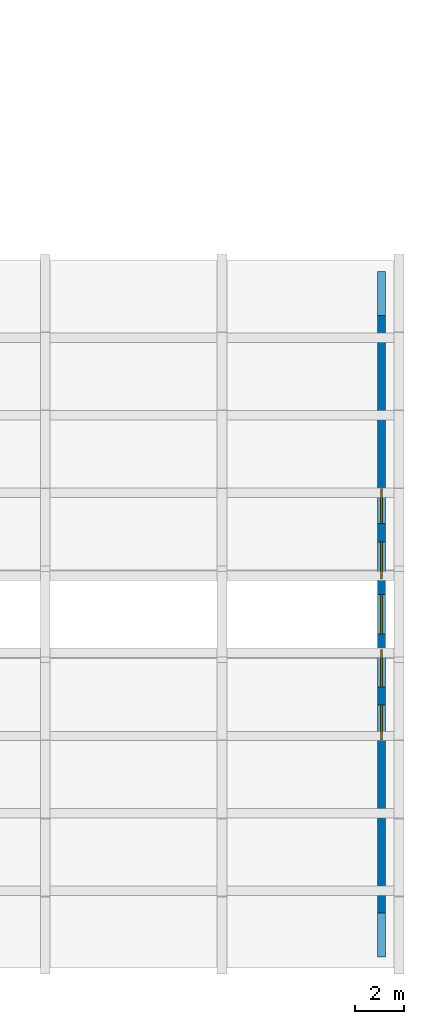
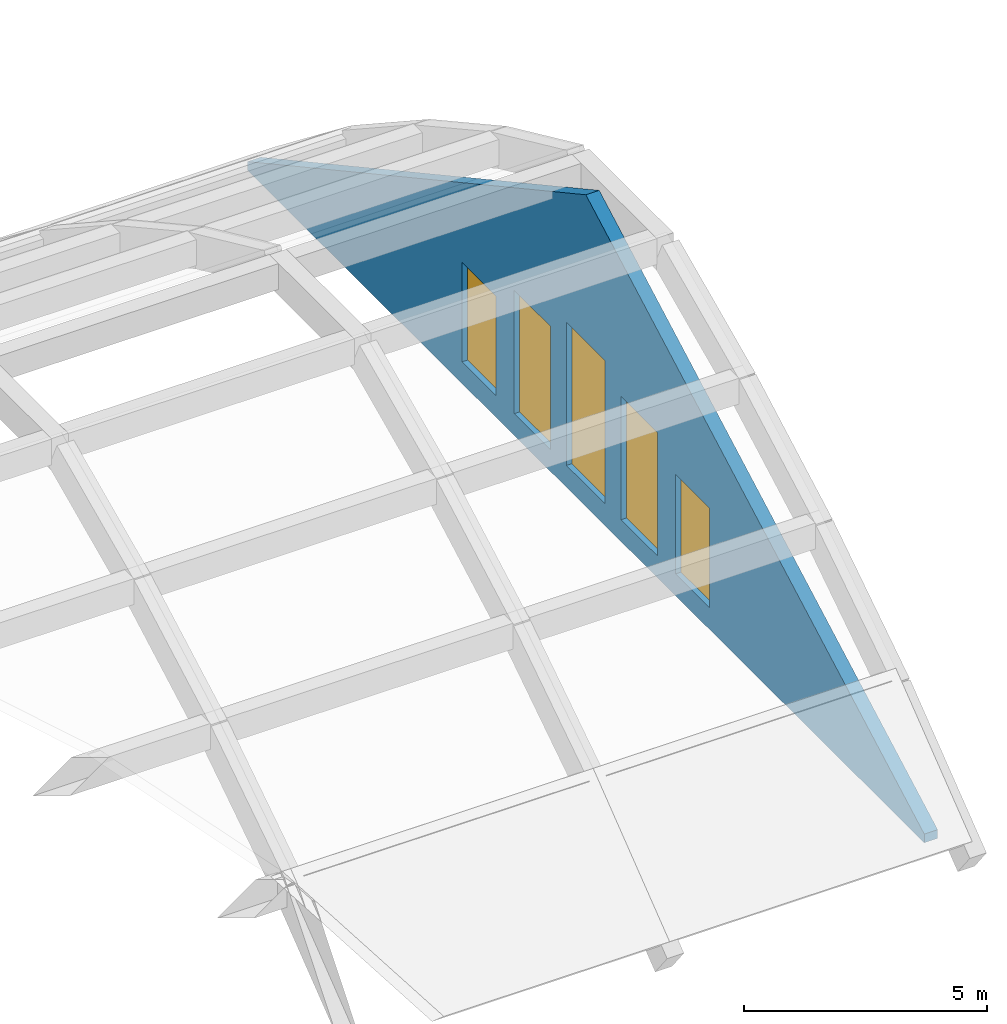
# One storey, part 48 of 85: 5 windows, 1 wall, 5 openings.
"""IFC4 building model written with IfcOpenShell, lengths in metres."""

from ifc_helpers import new_model, si_unit, direction, frame, frame_2d, origin, place, context, subcontext, project, spatial, polyline, rectangle, outline, extrude, material, layer, layer_set, type_object, element, fill, save


model = new_model("IFC4")

# Units and contexts
model_context = context("Model", 3, precision=1e-05, world=origin(), true_north=direction((0.0, 1.0)))
body_context = subcontext(model_context, "Body", "Model", "MODEL_VIEW")
ifc_project = project(units=[si_unit("LENGTHUNIT", "METRE"), si_unit("AREAUNIT", "SQUARE_METRE"), si_unit("VOLUMEUNIT", "CUBIC_METRE"), si_unit("PLANEANGLEUNIT", "RADIAN"), si_unit("MASSUNIT", "GRAM", prefix="KILO")], contexts=[model_context])

# Site, building, storey
site_placement = place(None, origin())
site = spatial("IfcSite", under=ifc_project, at=site_placement, CompositionType="ELEMENT")
building_placement = place(site_placement, origin())
building = spatial("IfcBuilding", under=site, at=building_placement, Name="Alvorim Cloister Faculty of Sciences", CompositionType="ELEMENT")
storey_placement = place(building_placement, frame((0.0, 0.0, 8.550048828125)))
storey = spatial("IfcBuildingStorey", under=building, at=storey_placement, Name="L02", CompositionType="ELEMENT", Elevation=8.550048828125)

# Wall, openings, windows
ifc_material_1 = material(Name="Precast Concrete C40", Category="concrete")
ifc_layer = layer(ifc_material_1, 0.320068359375)
ifc_layer_set = layer_set([ifc_layer], Name="Precast Concrete C40")
wall_type = type_object("IfcWallType", Name="WL-EXT-PC-320", PredefinedType="SOLIDWALL", material=ifc_layer_set)
wall_placement = place(storey_placement, frame((164.8798828125, 0.449951171875, 0.0), z_axis=(0.0, 0.0, 1.0), x_axis=(0.0, 1.0, 0.0)))
wall = element("IfcWall", 1, at=wall_placement, inside=storey, type_object=wall_type, Name="SH-V1 East Gothic Gable Tympanum WL-GBL-0252", PredefinedType="SOLIDWALL", context=body_context, shape_type="SweptSolid", body=[
    extrude(outline(polyline([(0.0, 0.0), (27.900146484375, 0.0), (27.89990234375, 0.219970703125), (13.949951171875, 7.84423828125), (0.0, 0.219970703125), (0.0, 0.0)])), frame((0.0, 0.16015625, 0.0), z_axis=(0.0, -1.0, 0.0), x_axis=(1.0, 0.0, 0.0)), (0.0, 0.0, 1.0), 0.320068359375),
])
opening_1_placement = place(wall_placement, frame((8.85009765625, 0.0, 0.550048828125)))
opening_1 = element("IfcOpeningElement", 2, at=opening_1_placement, cuts=wall, Name="Opening WA-03", PredefinedType="OPENING", context=body_context, shape_type="SweptSolid", body=[
    extrude(rectangle(XDim=1.39990234375, YDim=2.5, at=frame_2d((0.699951171875, 1.25))), frame((0.0, 0.171875, 0.0), z_axis=(0.0, -1.0, 0.0), x_axis=(1.0, 0.0, 0.0)), (0.0, 0.0, 1.0), 0.343994140625),
])
opening_2_placement = place(wall_placement, frame((11.0, 0.0, 0.550048828125)))
opening_2 = element("IfcOpeningElement", 3, at=opening_2_placement, cuts=wall, Name="Opening WA-02", PredefinedType="OPENING", context=body_context, shape_type="SweptSolid", body=[
    extrude(rectangle(XDim=1.5, YDim=3.10009765625, at=frame_2d((0.75, 1.550048828125))), frame((0.0, 0.171875, 0.0), z_axis=(0.0, -1.0, 0.0), x_axis=(1.0, 0.0, 0.0)), (0.0, 0.0, 1.0), 0.343994140625),
])
opening_3_placement = place(wall_placement, frame((13.14990234375, 0.0, 0.550048828125)))
opening_3 = element("IfcOpeningElement", 4, at=opening_3_placement, cuts=wall, Name="Opening WA-01", PredefinedType="OPENING", context=body_context, shape_type="SweptSolid", body=[
    extrude(rectangle(XDim=1.60009765625, YDim=3.60009765625, at=frame_2d((0.800048828125, 1.800048828125))), frame((0.0, 0.171875, 0.0), z_axis=(0.0, -1.0, 0.0), x_axis=(1.0, 0.0, 0.0)), (0.0, 0.0, 1.0), 0.343994140625),
])
opening_4_placement = place(wall_placement, frame((15.39990234375, 0.0, 0.550048828125)))
opening_4 = element("IfcOpeningElement", 5, at=opening_4_placement, cuts=wall, Name="Opening WA-02", PredefinedType="OPENING", context=body_context, shape_type="SweptSolid", body=[
    extrude(rectangle(XDim=1.5, YDim=3.10009765625, at=frame_2d((0.75, 1.550048828125))), frame((0.0, 0.171875, 0.0), z_axis=(0.0, -1.0, 0.0), x_axis=(1.0, 0.0, 0.0)), (0.0, 0.0, 1.0), 0.343994140625),
])
opening_5_placement = place(wall_placement, frame((17.64990234375, 0.0, 0.550048828125)))
opening_5 = element("IfcOpeningElement", 6, at=opening_5_placement, cuts=wall, Name="Opening WA-03", PredefinedType="OPENING", context=body_context, shape_type="SweptSolid", body=[
    extrude(rectangle(XDim=1.39990234375, YDim=2.5, at=frame_2d((0.699951171875, 1.25))), frame((0.0, 0.171875, 0.0), z_axis=(0.0, -1.0, 0.0), x_axis=(1.0, 0.0, 0.0)), (0.0, 0.0, 1.0), 0.343994140625),
])
ifc_material_2 = material(Name="Double Low-E Laminated Glass", Category="glass")
window_type_1 = type_object("IfcWindowType", Name="WN-ARCH-1400x2500", PartitioningType="SINGLE_PANEL", PredefinedType="WINDOW", material=ifc_material_2)
window_1_placement = place(opening_1_placement, origin())
window_1 = element("IfcWindow", 7, at=window_1_placement, inside=storey, type_object=window_type_1, Name="SH-V1 East Lancet Clerestory WN-0275", OverallHeight=2.5, OverallWidth=1.39990234375, PartitioningType="SINGLE_PANEL", PredefinedType="WINDOW", context=body_context, shape_type="SweptSolid", body=[
    extrude(rectangle(XDim=1.39990234375, YDim=2.5, at=frame_2d((0.699951171875, 1.25))), frame((0.0, 0.030029296875, 0.0), z_axis=(0.0, -1.0, 0.0), x_axis=(1.0, 0.0, 0.0)), (0.0, 0.0, 1.0), 0.06005859375),
])
fill(opening_1, window_1)
window_2_placement = place(opening_5_placement, origin())
window_2 = element("IfcWindow", 8, at=window_2_placement, inside=storey, type_object=window_type_1, Name="SH-V1 East Lancet Clerestory WN-0279", OverallHeight=2.5, OverallWidth=1.39990234375, PartitioningType="SINGLE_PANEL", PredefinedType="WINDOW", context=body_context, shape_type="SweptSolid", body=[
    extrude(rectangle(XDim=1.39990234375, YDim=2.5, at=frame_2d((0.699951171875, 1.25))), frame((0.0, 0.030029296875, 0.0), z_axis=(0.0, -1.0, 0.0), x_axis=(1.0, 0.0, 0.0)), (0.0, 0.0, 1.0), 0.06005859375),
])
fill(opening_5, window_2)
window_type_2 = type_object("IfcWindowType", Name="WN-ARCH-1500x3100", PartitioningType="SINGLE_PANEL", PredefinedType="WINDOW", material=ifc_material_2)
window_3_placement = place(opening_2_placement, origin())
window_3 = element("IfcWindow", 9, at=window_3_placement, inside=storey, type_object=window_type_2, Name="SH-V1 East Lancet Clerestory WN-0276", OverallHeight=3.10009765625, OverallWidth=1.5, PartitioningType="SINGLE_PANEL", PredefinedType="WINDOW", context=body_context, shape_type="SweptSolid", body=[
    extrude(rectangle(XDim=1.5, YDim=3.10009765625, at=frame_2d((0.75, 1.550048828125))), frame((0.0, 0.030029296875, 0.0), z_axis=(0.0, -1.0, 0.0), x_axis=(1.0, 0.0, 0.0)), (0.0, 0.0, 1.0), 0.06005859375),
])
fill(opening_2, window_3)
window_4_placement = place(opening_4_placement, origin())
window_4 = element("IfcWindow", 10, at=window_4_placement, inside=storey, type_object=window_type_2, Name="SH-V1 East Lancet Clerestory WN-0278", OverallHeight=3.10009765625, OverallWidth=1.5, PartitioningType="SINGLE_PANEL", PredefinedType="WINDOW", context=body_context, shape_type="SweptSolid", body=[
    extrude(rectangle(XDim=1.5, YDim=3.10009765625, at=frame_2d((0.75, 1.550048828125))), frame((0.0, 0.030029296875, 0.0), z_axis=(0.0, -1.0, 0.0), x_axis=(1.0, 0.0, 0.0)), (0.0, 0.0, 1.0), 0.06005859375),
])
fill(opening_4, window_4)
window_type_3 = type_object("IfcWindowType", Name="WN-ARCH-1600x3600", PartitioningType="SINGLE_PANEL", PredefinedType="WINDOW", material=ifc_material_2)
window_5_placement = place(opening_3_placement, origin())
window_5 = element("IfcWindow", 11, at=window_5_placement, inside=storey, type_object=window_type_3, Name="SH-V1 East Lancet Clerestory WN-0277", OverallHeight=3.60009765625, OverallWidth=1.60009765625, PartitioningType="SINGLE_PANEL", PredefinedType="WINDOW", context=body_context, shape_type="SweptSolid", body=[
    extrude(rectangle(XDim=1.60009765625, YDim=3.60009765625, at=frame_2d((0.800048828125, 1.800048828125))), frame((0.0, 0.030029296875, 0.0), z_axis=(0.0, -1.0, 0.0), x_axis=(1.0, 0.0, 0.0)), (0.0, 0.0, 1.0), 0.06005859375),
])
fill(opening_3, window_5)

save(model, "model.ifc")
